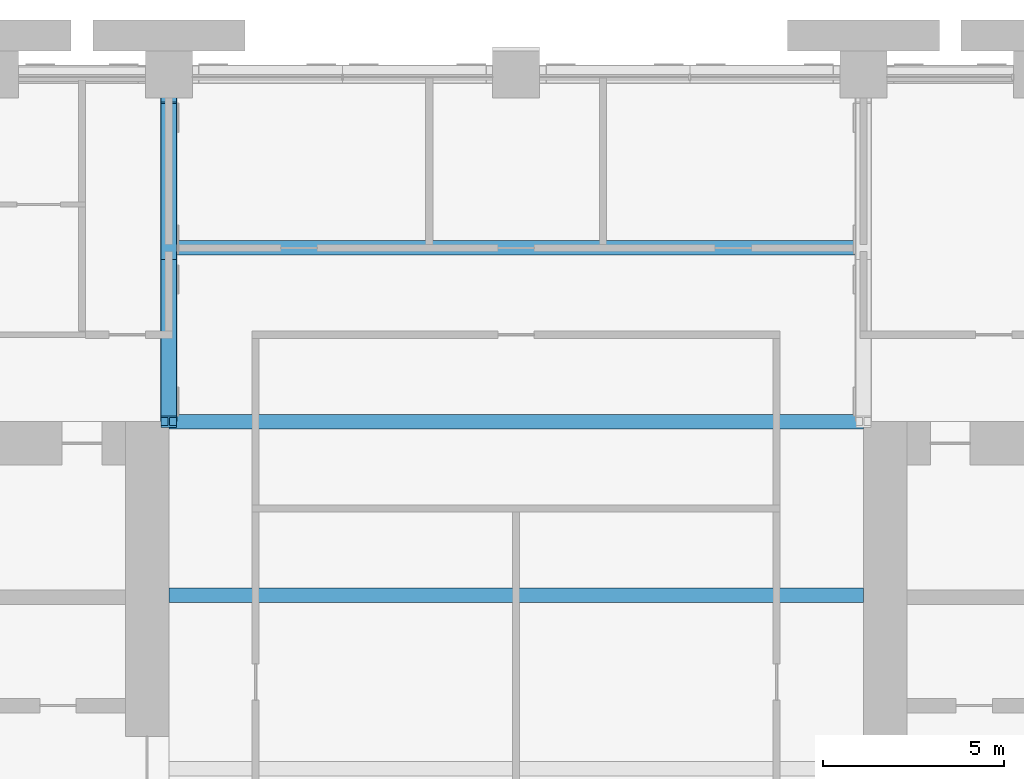
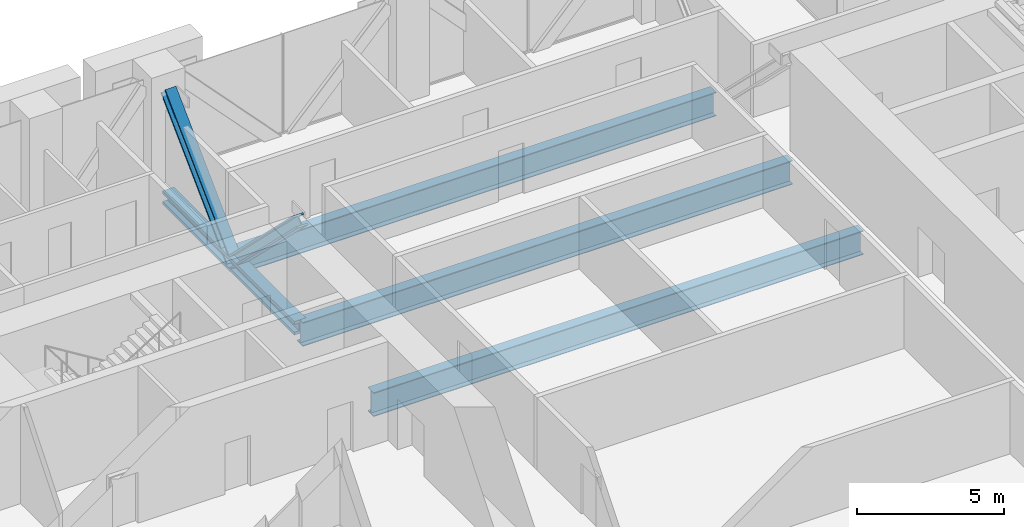
# One storey, part 6 of 15: 4 beams, 2 members.
"""IFC4 building model written with IfcOpenShell, lengths in metres."""

from ifc_helpers import new_model, si_unit, direction, frame, origin, origin_2d, place, context, subcontext, project, spatial, i_section, extrude, material, material_profile, profile_set, type_object, element, save


model = new_model("IFC4")

# Units and contexts
model_context = context("Model", 3, precision=1e-05, world=origin(), true_north=direction((0.0, 1.0)))
body_context = subcontext(model_context, "Body", "Model", "MODEL_VIEW")
ifc_project = project(units=[si_unit("LENGTHUNIT", "METRE"), si_unit("AREAUNIT", "SQUARE_METRE"), si_unit("VOLUMEUNIT", "CUBIC_METRE"), si_unit("PLANEANGLEUNIT", "RADIAN"), si_unit("MASSUNIT", "GRAM", prefix="KILO")], contexts=[model_context])

# Site, building, storey
site_placement = place(None, origin())
site = spatial("IfcSite", under=ifc_project, at=site_placement, CompositionType="ELEMENT")
building_placement = place(site_placement, origin())
building = spatial("IfcBuilding", under=site, at=building_placement, Name="Baori Bourse Tower", CompositionType="ELEMENT")
storey_placement = place(building_placement, frame((0.0, 0.0, 87.0)))
storey = spatial("IfcBuildingStorey", under=building, at=storey_placement, Name="L19", CompositionType="ELEMENT", Elevation=87.0)

# Beams
ifc_material_1 = material(Name="Steel A992 Gr 50", Category="steel")
ifc_material_profile_1 = material_profile(ifc_material_1, i_section(OverallWidth=0.4013671875, OverallDepth=0.990478515625, WebThickness=0.0166015625, FlangeThickness=0.031005859375, at=origin_2d()), Name="W40x215")
ifc_profile_set_1 = profile_set([ifc_material_profile_1], Name="Steel A992 Gr 50")
beam_type_1 = type_object("IfcBeamType", Name="Floor beam W40x215", PredefinedType="BEAM", material=ifc_profile_set_1)
for number, where, z_axis, x_axis, name in (
    (1, (19.199951171875, 33.60009765625, -0.79541015625), (1.0, 0.0, 0.0), (0.0, 1.0, 0.0), "Floor beam L19"),
    (2, (19.199951171875, 38.39990234375, -0.79541015625), (1.0, 0.0, 0.0), (0.0, 1.0, 0.0), "Floor beam L19"),
):
    element("IfcBeam", number, at=place(storey_placement, frame(where, z_axis=z_axis, x_axis=x_axis)), inside=storey, type_object=beam_type_1, Name=name, PredefinedType="BEAM", context=body_context, shape_type="SweptSolid", body=[
        extrude(i_section(OverallWidth=0.4013671875, OverallDepth=0.990478515625, WebThickness=0.0166015625, FlangeThickness=0.031005859375, at=origin_2d()), origin(), (0.0, 0.0, 1.0), 19.199951171875),
    ])
beam_1_placement = place(storey_placement, frame((19.42724609375, 43.199951171875, -0.79541015625), z_axis=(1.0, 0.0, 0.0), x_axis=(0.0, 1.0, 0.0)))
element("IfcBeam", 3, at=beam_1_placement, inside=storey, type_object=beam_type_1, Name="Floor beam L19", PredefinedType="BEAM", context=body_context, shape_type="SweptSolid", body=[
    extrude(i_section(OverallWidth=0.4013671875, OverallDepth=0.990478515625, WebThickness=0.0166015625, FlangeThickness=0.031005859375, at=origin_2d()), origin(), (0.0, 0.0, 1.0), 18.745361328125),
])
ifc_material_2 = material(Name="Steel A913 Gr 65", Category="steel")
ifc_material_profile_2 = material_profile(ifc_material_2, i_section(OverallWidth=0.45458984375, OverallDepth=0.56884765625, WebThickness=0.077880859375, FlangeThickness=0.124755859375, at=origin_2d()), Name="W14x730")
ifc_profile_set_2 = profile_set([ifc_material_profile_2], Name="Steel A913 Gr 65")
beam_type_2 = type_object("IfcBeamType", Name="Outrigger truss chord W14x730", PredefinedType="BEAM", material=ifc_profile_set_2)
beam_2_placement = place(storey_placement, frame((19.199951171875, 38.39990234375, -0.58447265625), z_axis=(0.0, 1.0, 0.0), x_axis=(-1.0, 0.0, 0.0)))
element("IfcBeam", 4, at=beam_2_placement, inside=storey, type_object=beam_type_2, Name="Outrigger truss chord L19", PredefinedType="BEAM", context=body_context, shape_type="SweptSolid", body=[
    extrude(i_section(OverallWidth=0.45458984375, OverallDepth=0.56884765625, WebThickness=0.077880859375, FlangeThickness=0.124755859375, at=origin_2d()), origin(), (0.0, 0.0, 1.0), 8.9501953125),
])

# Members
ifc_material_3 = material(Name="Steel A913 Gr 65", Category="steel")
ifc_material_profile_3 = material_profile(ifc_material_3, i_section(OverallWidth=0.419189453125, OverallDepth=0.45458984375, WebThickness=0.042236328125, FlangeThickness=0.067626953125, at=origin_2d()), Name="W14x370")
ifc_profile_set_3 = profile_set([ifc_material_profile_3], Name="Steel A913 Gr 65")
member_type = type_object("IfcMemberType", Name="Outrigger truss diagonal W14x370", PredefinedType="BRACE", material=ifc_profile_set_3)
for number, where, z_axis, x_axis, name in (
    (5, (19.199951171875, 38.39990234375, 3.8154296875), (0.0, 0.713072298636, -0.701090505511), (-1.0, 0.0, 0.0), "Outrigger truss diagonal L19"),
    (6, (19.199951171875, 42.875, -0.58447265625), (0.0, 0.713072298636, 0.701090505511), (-1.0, 0.0, 0.0), "Outrigger truss diagonal L19"),
):
    element("IfcMember", number, at=place(storey_placement, frame(where, z_axis=z_axis, x_axis=x_axis)), inside=storey, type_object=member_type, Name=name, PredefinedType="BRACE", context=body_context, shape_type="SweptSolid", body=[
        extrude(i_section(OverallWidth=0.419189453125, OverallDepth=0.45458984375, WebThickness=0.042236328125, FlangeThickness=0.067626953125, at=origin_2d()), origin(), (0.0, 0.0, 1.0), 6.27587890625),
    ])

save(model, "model.ifc")
